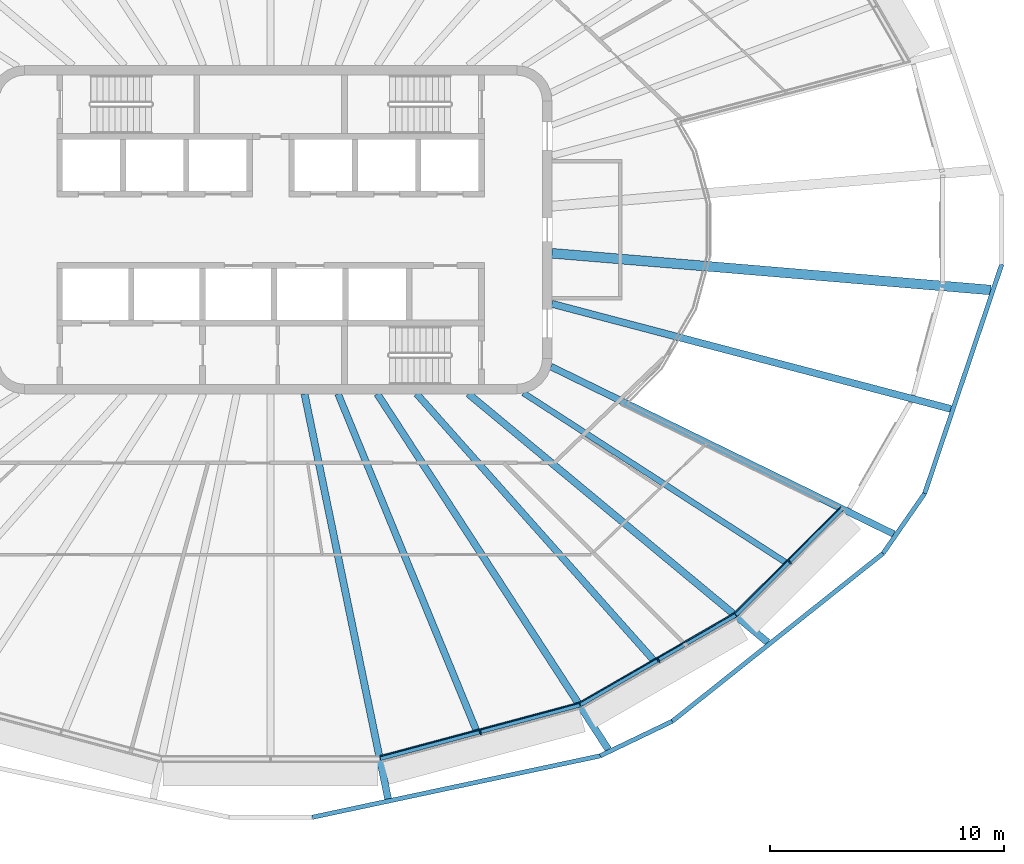
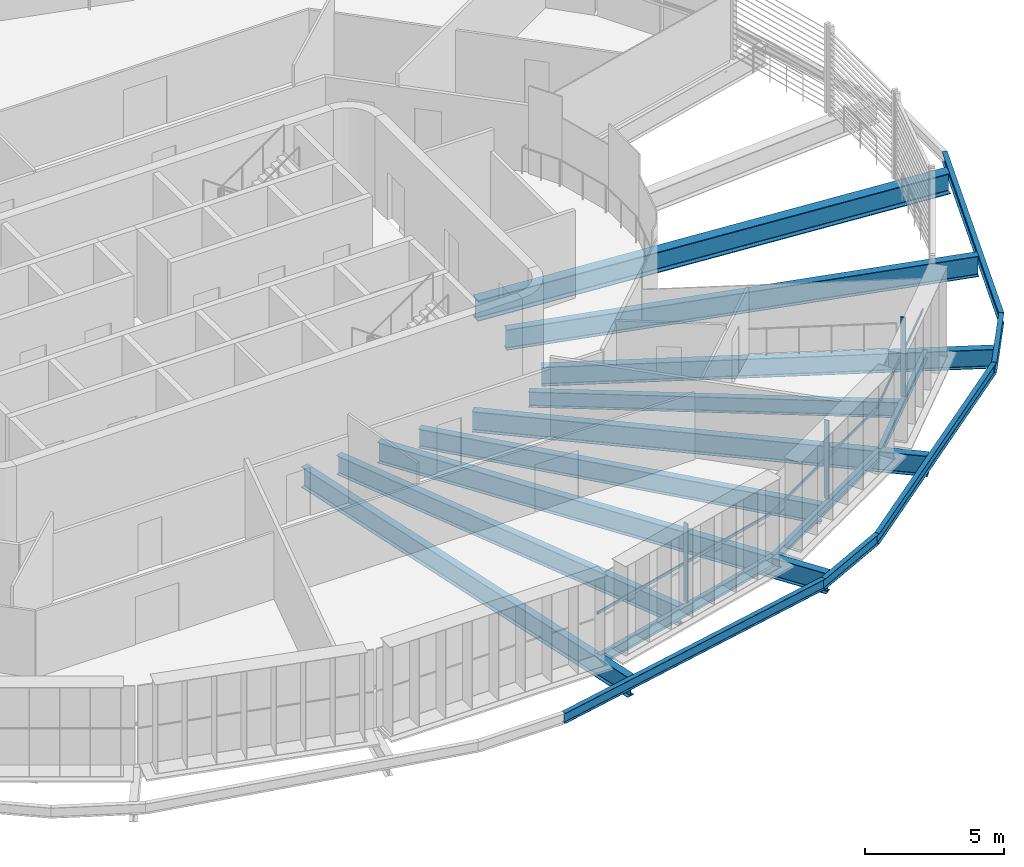
# One storey, part 3 of 19: 17 beams, 6 members, 3 elements without a shape of their own.
"""IFC4 building model written with IfcOpenShell, lengths in metres."""

from ifc_helpers import new_model, si_unit, direction, frame, origin, origin_2d, place, context, subcontext, project, spatial, rectangle, i_section, extrude, material, layer, layer_set, material_profile, profile_set, type_object, element, aggregate, save


model = new_model("IFC4")

# Units and contexts
model_context = context("Model", 3, precision=1e-05, world=origin(), true_north=direction((0.0, 1.0)))
body_context = subcontext(model_context, "Body", "Model", "MODEL_VIEW")
ifc_project = project(units=[si_unit("LENGTHUNIT", "METRE"), si_unit("AREAUNIT", "SQUARE_METRE"), si_unit("VOLUMEUNIT", "CUBIC_METRE"), si_unit("PLANEANGLEUNIT", "RADIAN"), si_unit("MASSUNIT", "GRAM", prefix="KILO")], contexts=[model_context])

# Site, building, storey
site_placement = place(None, origin())
site = spatial("IfcSite", under=ifc_project, at=site_placement, CompositionType="ELEMENT")
building_placement = place(site_placement, origin())
building = spatial("IfcBuilding", under=site, at=building_placement, Name="Sahrelin Media Tower", CompositionType="ELEMENT")
storey_placement = place(building_placement, frame((0.0, 0.0, 287.0)))
storey = spatial("IfcBuildingStorey", under=building, at=storey_placement, Name="L63", CompositionType="ELEMENT", Elevation=287.0)

# Beams
ifc_material_1 = material(Name="Steel S355", Category="steel")
ifc_material_profile_1 = material_profile(ifc_material_1, i_section(OverallWidth=0.17138671875, OverallDepth=0.35498046875, WebThickness=0.00732421875, FlangeThickness=0.011474609375, FilletRadius=0.01025390625, at=origin_2d()), Name="UB 356x171x51")
ifc_profile_set_1 = profile_set([ifc_material_profile_1], Name="Steel S355")
beam_type_1 = type_object("IfcBeamType", Name="Edge beam EB3", PredefinedType="BEAM", material=ifc_profile_set_1)
beam_1_placement = place(storey_placement, frame((24.388916015625, -11.8916015625, -0.327392578125), z_axis=(-0.707106781187, -0.707106781187, 0.0), x_axis=(0.707106781187, -0.707106781187, 0.0)))
element("IfcBeam", 1, at=beam_1_placement, inside=storey, type_object=beam_type_1, Name="Edge beam L63-01", PredefinedType="BEAM", context=body_context, shape_type="SweptSolid", body=[
    extrude(i_section(OverallWidth=0.17138671875, OverallDepth=0.35498046875, WebThickness=0.00732421875, FlangeThickness=0.011474609375, FilletRadius=0.01025390625, at=origin_2d()), origin(), (0.0, 0.0, 1.0), 6.4072265625),
])
ifc_material_profile_2 = material_profile(ifc_material_1, i_section(OverallWidth=0.177978515625, OverallDepth=0.406494140625, WebThickness=0.0078125, FlangeThickness=0.0126953125, FilletRadius=0.01025390625, at=origin_2d()), Name="UB 406x178x60")
ifc_profile_set_2 = profile_set([ifc_material_profile_2], Name="Steel S355")
beam_type_2 = type_object("IfcBeamType", Name="Edge beam EB4", PredefinedType="BEAM", material=ifc_profile_set_2)
beam_2_placement = place(storey_placement, frame((19.83544921875, -16.439697265625, -0.353271484375), z_axis=(-0.866029782078, -0.499992416496, 0.0), x_axis=(0.499992416496, -0.866029782078, 0.0)))
element("IfcBeam", 2, at=beam_2_placement, inside=storey, type_object=beam_type_2, Name="Edge beam L63-02", PredefinedType="BEAM", context=body_context, shape_type="SweptSolid", body=[
    extrude(i_section(OverallWidth=0.177978515625, OverallDepth=0.406494140625, WebThickness=0.0078125, FlangeThickness=0.0126953125, FilletRadius=0.01025390625, at=origin_2d()), origin(), (0.0, 0.0, 1.0), 7.6455078125),
])
ifc_material_profile_3 = material_profile(ifc_material_1, i_section(OverallWidth=0.1904296875, OverallDepth=0.45703125, WebThickness=0.009033203125, FlangeThickness=0.014404296875, FilletRadius=0.01025390625, at=origin_2d()), Name="UB 457x191x74")
ifc_profile_set_3 = profile_set([ifc_material_profile_3], Name="Steel S355")
beam_type_3 = type_object("IfcBeamType", Name="Edge beam EB5", PredefinedType="BEAM", material=ifc_profile_set_3)
beam_3_placement = place(storey_placement, frame((13.1875, -20.2734375, -0.37841796875), z_axis=(-0.965927388996, -0.258813212932, 0.0), x_axis=(0.258813212932, -0.965927388996, 0.0)))
element("IfcBeam", 3, at=beam_3_placement, inside=storey, type_object=beam_type_3, Name="Edge beam L63-03", PredefinedType="BEAM", context=body_context, shape_type="SweptSolid", body=[
    extrude(i_section(OverallWidth=0.1904296875, OverallDepth=0.45703125, WebThickness=0.009033203125, FlangeThickness=0.014404296875, FilletRadius=0.01025390625, at=origin_2d()), origin(), (0.0, 0.0, 1.0), 8.8076171875),
])

# Curtain wall, member
ifc_material_2 = material(Name="Champagne anodised aluminium 6063-T6", Category="aluminium")
ifc_layer = layer(ifc_material_2, 0.14990234375)
ifc_layer_set = layer_set([ifc_layer], Name="Tower ribbon curtain wall")
curtain_wall_type = type_object("IfcCurtainWallType", Name="Tower ribbon curtain wall", PredefinedType="NOTDEFINED", material=ifc_layer_set)
curtain_wall_1_placement = place(storey_placement, frame((8.972412109375, -21.55810546875, 0.0), z_axis=(0.0, 0.0, 1.0), x_axis=(1.0, 0.0, 0.0)))
curtain_wall_1 = element("IfcCurtainWall", 4, at=curtain_wall_1_placement, inside=storey, type_object=curtain_wall_type, Name="L63:CW:L63-19", PredefinedType="NOTDEFINED")
ifc_material_profile_4 = material_profile(ifc_material_2, rectangle(XDim=0.06005859375, YDim=0.199951171875, at=origin_2d()), Name="Mullion 60x200")
ifc_profile_set_4 = profile_set([ifc_material_profile_4], Name="Champagne anodised aluminium 6063-T6")
member_type_1 = type_object("IfcMemberType", Name="Mullion 60x200 CW1C", PredefinedType="MULLION", material=ifc_profile_set_4)
member_1_placement = place(storey_placement, frame((8.94140625, -21.442138671875, 0.0), z_axis=(0.0, 0.0, 1.0), x_axis=(0.965927181449, 0.258813987523, 0.0)))
member_1 = element("IfcMember", 5, at=member_1_placement, type_object=member_type_1, Name="L63:CWM:L63-19", PredefinedType="MULLION", context=body_context, shape_type="SweptSolid", body=[
    extrude(rectangle(XDim=0.06005859375, YDim=0.199951171875, at=origin_2d()), origin(), (0.0, 0.0, 1.0), 3.448486328125),
])

curtain_wall_2_placement = place(storey_placement, frame((16.599853515625, -18.48095703125, 0.0), z_axis=(0.0, 0.0, 1.0), x_axis=(1.0, 0.0, 0.0)))
curtain_wall_2 = element("IfcCurtainWall", 6, at=curtain_wall_2_placement, inside=storey, type_object=curtain_wall_type, Name="L63:CW:L63-20", PredefinedType="NOTDEFINED")
member_2_placement = place(storey_placement, frame((16.539794921875, -18.376953125, 0.0), z_axis=(0.0, 0.0, 1.0), x_axis=(0.866025403784, 0.5, 0.0)))
member_2 = element("IfcMember", 7, at=member_2_placement, type_object=member_type_1, Name="L63:CWM:L63-20", PredefinedType="MULLION", context=body_context, shape_type="SweptSolid", body=[
    extrude(rectangle(XDim=0.06005859375, YDim=0.199951171875, at=origin_2d()), origin(), (0.0, 0.0, 1.0), 3.448486328125),
])

curtain_wall_3_placement = place(storey_placement, frame((22.2294921875, -14.262939453125, 0.0), z_axis=(0.0, 0.0, 1.0), x_axis=(1.0, 0.0, 0.0)))
curtain_wall_3 = element("IfcCurtainWall", 8, at=curtain_wall_3_placement, inside=storey, type_object=curtain_wall_type, Name="L63:CW:L63-21", PredefinedType="NOTDEFINED")
member_3_placement = place(storey_placement, frame((22.144775390625, -14.177978515625, 0.0), z_axis=(0.0, 0.0, 1.0), x_axis=(0.707099376343, 0.707114185953, 0.0)))
member_3 = element("IfcMember", 9, at=member_3_placement, type_object=member_type_1, Name="L63:CWM:L63-21", PredefinedType="MULLION", context=body_context, shape_type="SweptSolid", body=[
    extrude(rectangle(XDim=0.06005859375, YDim=0.199951171875, at=origin_2d()), origin(), (0.0, 0.0, 1.0), 3.448486328125),
])

# Beams
ifc_material_profile_5 = material_profile(ifc_material_1, i_section(OverallWidth=0.291748046875, OverallDepth=0.8349609375, WebThickness=0.013916015625, FlangeThickness=0.018798828125, FilletRadius=0.017822265625, at=origin_2d()), Name="UB 838x292x176")
ifc_profile_set_5 = profile_set([ifc_material_profile_5], Name="Steel S355")
beam_type_4 = type_object("IfcBeamType", Name="Radial primary beam PB10", PredefinedType="BEAM", material=ifc_profile_set_5)
beam_4_placement = place(storey_placement, frame((11.95556640625, -5.838134765625, -0.5673828125), z_axis=(0.898580717158, -0.438808266504, 0.0), x_axis=(0.438808266504, 0.898580717158, 0.0)))
element("IfcBeam", 10, at=beam_4_placement, inside=storey, type_object=beam_type_4, Name="Radial beam L63-22", PredefinedType="BEAM", context=body_context, shape_type="SweptSolid", body=[
    extrude(i_section(OverallWidth=0.291748046875, OverallDepth=0.8349609375, WebThickness=0.013916015625, FlangeThickness=0.018798828125, FilletRadius=0.017822265625, at=origin_2d()), origin(), (0.0, 0.0, 1.0), 16.280517578125),
])
ifc_material_profile_6 = material_profile(ifc_material_1, i_section(OverallWidth=0.30322265625, OverallDepth=0.903076171875, WebThickness=0.01513671875, FlangeThickness=0.020263671875, FilletRadius=0.01904296875, at=origin_2d()), Name="UB 914x305x201")
ifc_profile_set_6 = profile_set([ifc_material_profile_6], Name="Steel S355")
beam_type_5 = type_object("IfcBeamType", Name="Radial primary beam PB11", PredefinedType="BEAM", material=ifc_profile_set_6)
beam_5_placement = place(storey_placement, frame((1.444580078125, -7.0, -0.6015625), z_axis=(0.202083944473, -0.979368204194, 0.0), x_axis=(0.979368204194, 0.202083944473, 0.0)))
element("IfcBeam", 11, at=beam_5_placement, inside=storey, type_object=beam_type_5, Name="Radial beam L63-19", PredefinedType="BEAM", context=body_context, shape_type="SweptSolid", body=[
    extrude(i_section(OverallWidth=0.30322265625, OverallDepth=0.903076171875, WebThickness=0.01513671875, FlangeThickness=0.020263671875, FilletRadius=0.01904296875, at=origin_2d()), origin(), (0.0, 0.0, 1.0), 17.643310546875),
])
beam_6_placement = place(storey_placement, frame((4.547607421875, -7.0, -0.6015625), z_axis=(0.544800537229, -0.83856566507, 0.0), x_axis=(0.83856566507, 0.544800537229, 0.0)))
element("IfcBeam", 12, at=beam_6_placement, inside=storey, type_object=beam_type_5, Name="Radial beam L63-20", PredefinedType="BEAM", context=body_context, shape_type="SweptSolid", body=[
    extrude(i_section(OverallWidth=0.30322265625, OverallDepth=0.903076171875, WebThickness=0.01513671875, FlangeThickness=0.020263671875, FilletRadius=0.01904296875, at=origin_2d()), origin(), (0.0, 0.0, 1.0), 18.094970703125),
])
beam_7_placement = place(storey_placement, frame((8.4326171875, -7.0, -0.6015625), z_axis=(0.769442063394, -0.638716612498, 0.0), x_axis=(0.638716612498, 0.769442063394, 0.0)))
element("IfcBeam", 13, at=beam_7_placement, inside=storey, type_object=beam_type_5, Name="Radial beam L63-21", PredefinedType="BEAM", context=body_context, shape_type="SweptSolid", body=[
    extrude(i_section(OverallWidth=0.30322265625, OverallDepth=0.903076171875, WebThickness=0.01513671875, FlangeThickness=0.020263671875, FilletRadius=0.01904296875, at=origin_2d()), origin(), (0.0, 0.0, 1.0), 16.602783203125),
])
beam_8_placement = place(storey_placement, frame((12.0, -3.1611328125, -0.6015625), z_axis=(0.96700710419, -0.254749407156, 0.0), x_axis=(0.254749407156, 0.96700710419, 0.0)))
element("IfcBeam", 14, at=beam_8_placement, inside=storey, type_object=beam_type_5, Name="Radial beam L63-23", PredefinedType="BEAM", context=body_context, shape_type="SweptSolid", body=[
    extrude(i_section(OverallWidth=0.30322265625, OverallDepth=0.903076171875, WebThickness=0.01513671875, FlangeThickness=0.020263671875, FilletRadius=0.01904296875, at=origin_2d()), origin(), (0.0, 0.0, 1.0), 17.595458984375),
])
ifc_material_profile_7 = material_profile(ifc_material_1, i_section(OverallWidth=0.41845703125, OverallDepth=0.911865234375, WebThickness=0.019287109375, FlangeThickness=0.031982421875, FilletRadius=0.024169921875, at=origin_2d()), Name="UB 914x419x343")
ifc_profile_set_7 = profile_set([ifc_material_profile_7], Name="Steel S355")
beam_type_6 = type_object("IfcBeamType", Name="Radial primary beam PB12", PredefinedType="BEAM", material=ifc_profile_set_7)
beam_9_placement = place(storey_placement, frame((12.0, -1.00439453125, -0.60595703125), z_axis=(0.996514859862, -0.083415430669, 0.0), x_axis=(0.083415430669, 0.996514859862, 0.0)))
element("IfcBeam", 15, at=beam_9_placement, inside=storey, type_object=beam_type_6, Name="Radial beam L63-24", PredefinedType="BEAM", context=body_context, shape_type="SweptSolid", body=[
    extrude(i_section(OverallWidth=0.41845703125, OverallDepth=0.911865234375, WebThickness=0.019287109375, FlangeThickness=0.031982421875, FilletRadius=0.024169921875, at=origin_2d()), origin(), (0.0, 0.0, 1.0), 18.787109375),
])
ifc_material_profile_8 = material_profile(ifc_material_1, i_section(OverallWidth=0.291748046875, OverallDepth=0.8349609375, WebThickness=0.013916015625, FlangeThickness=0.018798828125, FilletRadius=0.017822265625, at=origin_2d()), Name="UB 838x292x176")
ifc_profile_set_8 = profile_set([ifc_material_profile_8], Name="Steel S355")
beam_type_7 = type_object("IfcBeamType", Name="Radial secondary beam SB10", PredefinedType="BEAM", material=ifc_profile_set_8)
beam_10_placement = place(storey_placement, frame((2.8759765625, -7.0, -0.5673828125), z_axis=(0.380009216923, -0.924982699867, 0.0), x_axis=(0.924982699867, 0.380009216923, 0.0)))
element("IfcBeam", 16, at=beam_10_placement, inside=storey, type_object=beam_type_7, Name="Secondary beam L63-18", PredefinedType="BEAM", context=body_context, shape_type="SweptSolid", body=[
    extrude(i_section(OverallWidth=0.291748046875, OverallDepth=0.8349609375, WebThickness=0.013916015625, FlangeThickness=0.018798828125, FilletRadius=0.017822265625, at=origin_2d()), origin(), (0.0, 0.0, 1.0), 15.521728515625),
])
beam_11_placement = place(storey_placement, frame((6.227294921875, -7.0, -0.5673828125), z_axis=(0.664674753745, -0.747132834062, 0.0), x_axis=(0.747132834062, 0.664674753745, 0.0)))
element("IfcBeam", 17, at=beam_11_placement, inside=storey, type_object=beam_type_7, Name="Secondary beam L63-19", PredefinedType="BEAM", context=body_context, shape_type="SweptSolid", body=[
    extrude(i_section(OverallWidth=0.291748046875, OverallDepth=0.8349609375, WebThickness=0.013916015625, FlangeThickness=0.018798828125, FilletRadius=0.017822265625, at=origin_2d()), origin(), (0.0, 0.0, 1.0), 15.20361328125),
])
ifc_material_profile_9 = material_profile(ifc_material_1, i_section(OverallWidth=0.2529296875, OverallDepth=0.677978515625, WebThickness=0.01171875, FlangeThickness=0.01611328125, FilletRadius=0.01513671875, at=origin_2d()), Name="UB 686x254x125")
ifc_profile_set_9 = profile_set([ifc_material_profile_9], Name="Steel S355")
beam_type_8 = type_object("IfcBeamType", Name="Radial secondary beam SB8", PredefinedType="BEAM", material=ifc_profile_set_9)
beam_12_placement = place(storey_placement, frame((10.779296875, -6.963134765625, -0.489013671875), z_axis=(0.839980030841, -0.542617312467, 0.0), x_axis=(0.542617312467, 0.839980030841, 0.0)))
element("IfcBeam", 18, at=beam_12_placement, inside=storey, type_object=beam_type_8, Name="Secondary beam L63-20", PredefinedType="BEAM", context=body_context, shape_type="SweptSolid", body=[
    extrude(i_section(OverallWidth=0.2529296875, OverallDepth=0.677978515625, WebThickness=0.01171875, FlangeThickness=0.01611328125, FilletRadius=0.01513671875, at=origin_2d()), origin(), (0.0, 0.0, 1.0), 13.3203125),
])
ifc_material_profile_10 = material_profile(ifc_material_1, i_section(OverallWidth=0.1904296875, OverallDepth=0.45703125, WebThickness=0.009033203125, FlangeThickness=0.014404296875, FilletRadius=0.01025390625, at=origin_2d()), Name="UB 457x191x74")
ifc_profile_set_10 = profile_set([ifc_material_profile_10], Name="Steel S355")
beam_type_9 = type_object("IfcBeamType", Name="Tie chord TC5", PredefinedType="BEAM", material=ifc_profile_set_10)
beam_13_placement = place(storey_placement, frame((1.77392578125, -25.06689453125, -0.37841796875), z_axis=(0.97798945227, 0.208654334365, 0.0), x_axis=(-0.208654334365, 0.97798945227, 0.0)))
element("IfcBeam", 19, at=beam_13_placement, inside=storey, type_object=beam_type_9, Name="Tie chord L63-19", PredefinedType="BEAM", context=body_context, shape_type="SweptSolid", body=[
    extrude(i_section(OverallWidth=0.1904296875, OverallDepth=0.45703125, WebThickness=0.009033203125, FlangeThickness=0.014404296875, FilletRadius=0.01025390625, at=origin_2d()), origin(), (0.0, 0.0, 1.0), 12.56201171875),
])
beam_14_placement = place(storey_placement, frame((14.059326171875, -22.44580078125, -0.37841796875), z_axis=(0.90161470192, 0.432540089798, 0.0), x_axis=(-0.432540089798, 0.90161470192, 0.0)))
element("IfcBeam", 20, at=beam_14_placement, inside=storey, type_object=beam_type_9, Name="Tie chord L63-20", PredefinedType="BEAM", context=body_context, shape_type="SweptSolid", body=[
    extrude(i_section(OverallWidth=0.1904296875, OverallDepth=0.45703125, WebThickness=0.009033203125, FlangeThickness=0.014404296875, FilletRadius=0.01025390625, at=origin_2d()), origin(), (0.0, 0.0, 1.0), 3.407958984375),
])
beam_15_placement = place(storey_placement, frame((17.132080078125, -20.9716796875, -0.37841796875), z_axis=(0.782271520819, 0.622937611415, 0.0), x_axis=(-0.622937611415, 0.782271520819, 0.0)))
element("IfcBeam", 21, at=beam_15_placement, inside=storey, type_object=beam_type_9, Name="Tie chord L63-21", PredefinedType="BEAM", context=body_context, shape_type="SweptSolid", body=[
    extrude(i_section(OverallWidth=0.1904296875, OverallDepth=0.45703125, WebThickness=0.009033203125, FlangeThickness=0.014404296875, FilletRadius=0.01025390625, at=origin_2d()), origin(), (0.0, 0.0, 1.0), 11.49658203125),
])
beam_16_placement = place(storey_placement, frame((26.12548828125, -13.81005859375, -0.37841796875), z_axis=(0.570618018354, 0.821215609404, 0.0), x_axis=(-0.821215609404, 0.570618018354, 0.0)))
element("IfcBeam", 22, at=beam_16_placement, inside=storey, type_object=beam_type_9, Name="Tie chord L63-22", PredefinedType="BEAM", context=body_context, shape_type="SweptSolid", body=[
    extrude(i_section(OverallWidth=0.1904296875, OverallDepth=0.45703125, WebThickness=0.009033203125, FlangeThickness=0.014404296875, FilletRadius=0.01025390625, at=origin_2d()), origin(), (0.0, 0.0, 1.0), 3.10888671875),
])
beam_17_placement = place(storey_placement, frame((27.8994140625, -11.257080078125, -0.37841796875), z_axis=(0.318929959772, 0.947778286711, 0.0), x_axis=(-0.947778286711, 0.318929959772, 0.0)))
element("IfcBeam", 23, at=beam_17_placement, inside=storey, type_object=beam_type_9, Name="Tie chord L63-23", PredefinedType="BEAM", context=body_context, shape_type="SweptSolid", body=[
    extrude(i_section(OverallWidth=0.1904296875, OverallDepth=0.45703125, WebThickness=0.009033203125, FlangeThickness=0.014404296875, FilletRadius=0.01025390625, at=origin_2d()), origin(), (0.0, 0.0, 1.0), 10.322021484375),
])

# Member
ifc_material_profile_11 = material_profile(ifc_material_2, rectangle(XDim=0.050048828125, YDim=0.1201171875, at=origin_2d()), Name="Transom 50x120")
ifc_profile_set_11 = profile_set([ifc_material_profile_11], Name="Champagne anodised aluminium 6063-T6")
member_type_2 = type_object("IfcMemberType", Name="Transom 50x120 CW1C", PredefinedType="USERDEFINED", material=ifc_profile_set_11)
member_4_placement = place(storey_placement, frame((4.67041015625, -22.457275390625, 1.60009765625), z_axis=(0.965925824959, 0.258819050065, 0.0), x_axis=(-0.258819050065, 0.965925824959, 0.0)))
member_4 = element("IfcMember", 24, at=member_4_placement, type_object=member_type_2, Name="L63:CWT:L63-19", ObjectType="TRANSOM", PredefinedType="USERDEFINED", context=body_context, shape_type="SweptSolid", body=[
    extrude(rectangle(XDim=0.050048828125, YDim=0.1201171875, at=origin_2d()), origin(), (0.0, 0.0, 1.0), 8.7763671875),
])

aggregate(curtain_wall_1, [member_1, member_4])

member_5_placement = place(storey_placement, frame((13.18017578125, -20.17236328125, 1.60009765625), z_axis=(0.866028607742, 0.499994450542, 0.0), x_axis=(-0.499994450542, 0.866028607742, 0.0)))
member_5 = element("IfcMember", 25, at=member_5_placement, type_object=member_type_2, Name="L63:CWT:L63-20", ObjectType="TRANSOM", PredefinedType="USERDEFINED", context=body_context, shape_type="SweptSolid", body=[
    extrude(rectangle(XDim=0.050048828125, YDim=0.1201171875, at=origin_2d()), origin(), (0.0, 0.0, 1.0), 7.6142578125),
])

aggregate(curtain_wall_2, [member_2, member_5])

member_6_placement = place(storey_placement, frame((19.80224609375, -16.34375, 1.60009765625), z_axis=(0.707106781187, 0.707106781187, 0.0), x_axis=(-0.707106781187, 0.707106781187, 0.0)))
member_6 = element("IfcMember", 26, at=member_6_placement, type_object=member_type_2, Name="L63:CWT:L63-21", ObjectType="TRANSOM", PredefinedType="USERDEFINED", context=body_context, shape_type="SweptSolid", body=[
    extrude(rectangle(XDim=0.050048828125, YDim=0.1201171875, at=origin_2d()), origin(), (0.0, 0.0, 1.0), 6.375732421875),
])

aggregate(curtain_wall_3, [member_3, member_6])

save(model, "model.ifc")
